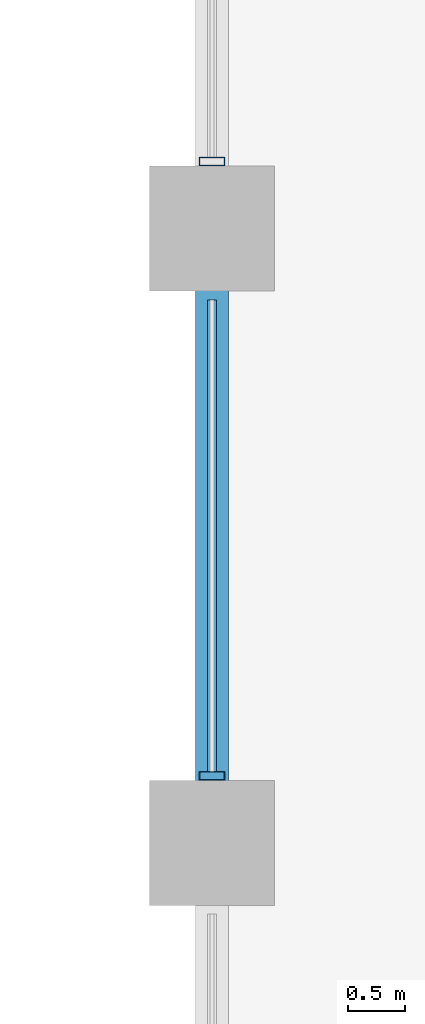
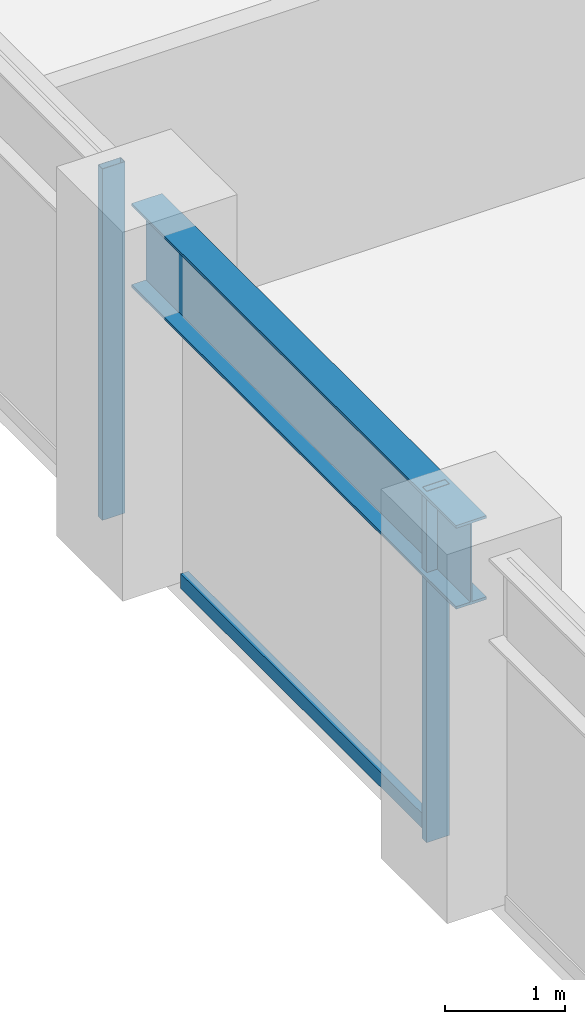
# One storey, part 7 of 29: 3 members, 1 beam, 1 element without a shape of its own.
"""IFC4 building model written with IfcOpenShell, lengths in metres."""

from ifc_helpers import new_model, si_unit, direction, frame, origin, origin_2d, place, context, subcontext, project, spatial, hollow_rectangle, i_section, extrude, material, layer, layer_set, material_profile, profile_set, type_object, element, aggregate, save


model = new_model("IFC4")

# Units and contexts
model_context = context("Model", 3, precision=1e-05, world=origin(), true_north=direction((0.0, 1.0)))
body_context = subcontext(model_context, "Body", "Model", "MODEL_VIEW")
ifc_project = project(units=[si_unit("LENGTHUNIT", "METRE"), si_unit("AREAUNIT", "SQUARE_METRE"), si_unit("VOLUMEUNIT", "CUBIC_METRE"), si_unit("PLANEANGLEUNIT", "RADIAN"), si_unit("MASSUNIT", "GRAM", prefix="KILO")], contexts=[model_context])

# Site, building, storey
site_placement = place(None, origin())
site = spatial("IfcSite", under=ifc_project, at=site_placement, CompositionType="ELEMENT")
building_placement = place(site_placement, origin())
building = spatial("IfcBuilding", under=site, at=building_placement, Name="Surkhivell Harbour Commons", CompositionType="ELEMENT")
storey_placement = place(building_placement, frame((0.0, 0.0, 90.75)))
storey = spatial("IfcBuildingStorey", under=building, at=storey_placement, Name="L23", CompositionType="ELEMENT", Elevation=90.75)

# Beam
ifc_material_1 = material(Name="Steel S460", Category="steel")
ifc_material_profile_1 = material_profile(ifc_material_1, i_section(OverallWidth=0.2939453125, OverallDepth=0.85107421875, WebThickness=0.01611328125, FlangeThickness=0.02685546875, at=origin_2d()), Name="UB838x292x226")
ifc_profile_set_1 = profile_set([ifc_material_profile_1], Name="Steel S460")
beam_type = type_object("IfcBeamType", Name="BM-SPN-838", PredefinedType="SPANDREL", material=ifc_profile_set_1)
beam_placement = place(storey_placement, frame((-32.39990234375, 0.0, 3.14453125), z_axis=(0.0, 1.0, 0.0), x_axis=(-1.0, 0.0, 0.0)))
element("IfcBeam", 1, at=beam_placement, inside=storey, type_object=beam_type, Name="L23 Tube Spandrel (-32.4,0.0)", PredefinedType="SPANDREL", context=body_context, shape_type="SweptSolid", body=[
    extrude(i_section(OverallWidth=0.2939453125, OverallDepth=0.85107421875, WebThickness=0.01611328125, FlangeThickness=0.02685546875, at=origin_2d()), origin(), (0.0, 0.0, 1.0), 5.39990234375),
])

# Curtain wall, members
ifc_material_2 = material(Name="Anodised pale-metal aluminium and insulated glazing", Category="aluminium")
ifc_layer = layer(ifc_material_2, 0.205078125)
ifc_layer_set = layer_set([ifc_layer], Name="Anodised pale-metal aluminium and insulated glazing")
curtain_wall_type = type_object("IfcCurtainWallType", Name="CW-SYS-Z2", PredefinedType="NOTDEFINED", material=ifc_layer_set)
curtain_wall_placement = place(storey_placement, origin())
curtain_wall = element("IfcCurtainWall", 2, at=curtain_wall_placement, inside=storey, type_object=curtain_wall_type, Name="L23 Curtain Wall CW-L23-E12R2", PredefinedType="NOTDEFINED")
ifc_material_3 = material(Name="Anodised pale-metal aluminium alloy 6063-T6", Category="aluminium")
ifc_material_profile_2 = material_profile(ifc_material_3, hollow_rectangle(XDim=0.074951171875, YDim=0.219970703125, WallThickness=0.00390625, at=origin_2d()), Name="ALU-MULL-75x220")
ifc_profile_set_2 = profile_set([ifc_material_profile_2], Name="Anodised pale-metal aluminium alloy 6063-T6")
member_type_1 = type_object("IfcMemberType", Name="CWM-220", PredefinedType="MULLION", material=ifc_profile_set_2)
member_1_placement = place(storey_placement, frame((-32.39990234375, 0.589599609375, 0.0), z_axis=(0.0, 0.0, 1.0), x_axis=(0.0, 1.0, 0.0)))
member_1 = element("IfcMember", 3, at=member_1_placement, type_object=member_type_1, Name="CW-Z2 mullion 2", PredefinedType="MULLION", context=body_context, shape_type="SweptSolid", body=[
    extrude(hollow_rectangle(XDim=0.074951171875, YDim=0.219970703125, WallThickness=0.00390625, at=origin_2d()), origin(), (0.0, 0.0, 1.0), 3.570068359375),
])
member_2_placement = place(storey_placement, frame((-32.39990234375, 5.989501953125, 0.0), z_axis=(0.0, 0.0, 1.0), x_axis=(0.0, 1.0, 0.0)))
member_2 = element("IfcMember", 4, at=member_2_placement, type_object=member_type_1, Name="CW-Z2 mullion 3", PredefinedType="MULLION", context=body_context, shape_type="SweptSolid", body=[
    extrude(hollow_rectangle(XDim=0.074951171875, YDim=0.219970703125, WallThickness=0.00390625, at=origin_2d()), origin(), (0.0, 0.0, 1.0), 3.570068359375),
])
ifc_material_profile_3 = material_profile(ifc_material_3, hollow_rectangle(XDim=0.074951171875, YDim=0.14990234375, WallThickness=0.00341796875, at=origin_2d()), Name="ALU-TRAN-75x150")
ifc_profile_set_3 = profile_set([ifc_material_profile_3], Name="Anodised pale-metal aluminium alloy 6063-T6")
member_type_2 = type_object("IfcMemberType", Name="CWT-150", PredefinedType="USERDEFINED", material=ifc_profile_set_3)
member_3_placement = place(storey_placement, frame((-32.39990234375, 0.626953125, 0.074951171875), z_axis=(0.0, 1.0, 0.0), x_axis=(-1.0, 0.0, 0.0)))
member_3 = element("IfcMember", 5, at=member_3_placement, type_object=member_type_2, Name="CW-Z2 transom 2.1", ObjectType="TRANSOM", PredefinedType="USERDEFINED", context=body_context, shape_type="SweptSolid", body=[
    extrude(hollow_rectangle(XDim=0.074951171875, YDim=0.14990234375, WallThickness=0.00341796875, at=origin_2d()), origin(), (0.0, 0.0, 1.0), 4.14599609375),
])
aggregate(curtain_wall, [member_1, member_3, member_2])

save(model, "model.ifc")
